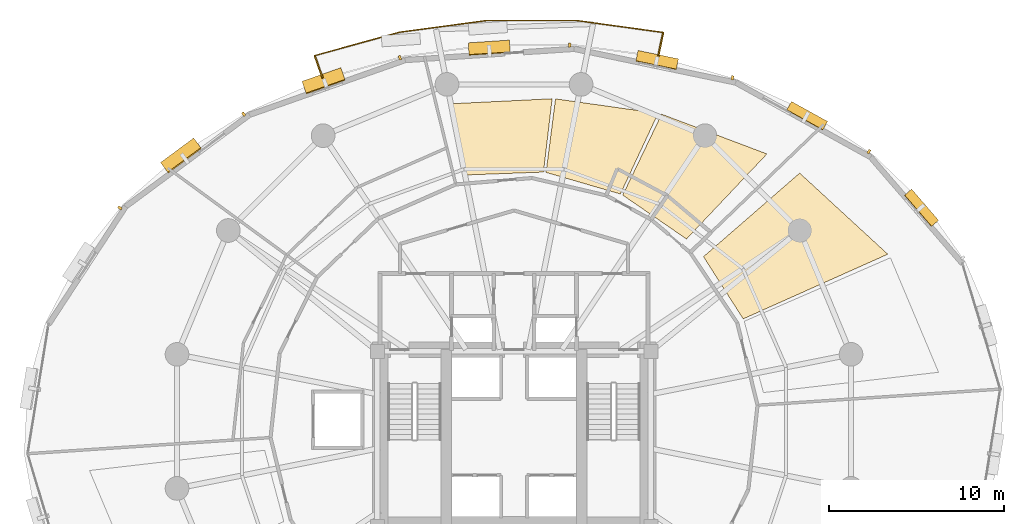
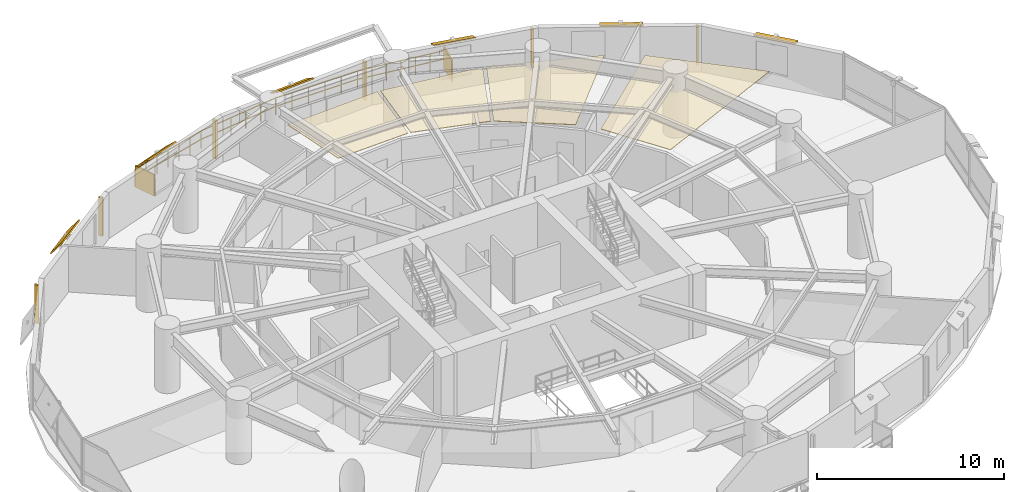
# One storey, part 16 of 16: 14 shading devices, 4 coverings, 1 railing.
"""IFC4 building model written with IfcOpenShell, lengths in metres."""

from ifc_helpers import new_model, si_unit, direction, frame, origin, origin_2d, place, context, subcontext, project, spatial, polyline, rectangle, outline, extrude, material, layer, layer_set, type_object, element, save


model = new_model("IFC4")

# Units and contexts
model_context = context("Model", 3, precision=1e-05, world=origin(), true_north=direction((0.0, 1.0)))
body_context = subcontext(model_context, "Body", "Model", "MODEL_VIEW")
ifc_project = project(units=[si_unit("LENGTHUNIT", "METRE"), si_unit("AREAUNIT", "SQUARE_METRE"), si_unit("VOLUMEUNIT", "CUBIC_METRE"), si_unit("PLANEANGLEUNIT", "RADIAN"), si_unit("MASSUNIT", "GRAM", prefix="KILO"), si_unit("THERMODYNAMICTEMPERATUREUNIT", "KELVIN"), si_unit("POWERUNIT", "WATT")], contexts=[model_context])

# Site, building, storey
site_placement = place(None, origin())
site = spatial("IfcSite", under=ifc_project, at=site_placement, CompositionType="ELEMENT")
building_placement = place(site_placement, origin())
building = spatial("IfcBuilding", under=site, at=building_placement, Name="Ocrelia Relay Tower", CompositionType="ELEMENT")
storey_placement = place(building_placement, frame((0.0, 0.0, 46.800048828125)))
storey = spatial("IfcBuildingStorey", under=building, at=storey_placement, Name="L10", CompositionType="ELEMENT", Elevation=46.800048828125)

# Coverings
ifc_material_1 = material(Name="Mineral-fiber acoustic ceiling tile", Category="gypsum")
ifc_layer_1 = layer(ifc_material_1, 0.0400390625, Name="Mineral-fiber acoustic ceiling tile")
ifc_layer_set_1 = layer_set([ifc_layer_1], Name="Mineral-fiber acoustic ceiling tile")
covering_type = type_object("IfcCoveringType", Name="COV-CEIL-ACOUSTIC", PredefinedType="CEILING", material=ifc_layer_set_1)
covering_1_placement = place(storey_placement, frame((0.0, 0.0, 2.919921875)))
element("IfcCovering", 1, at=covering_1_placement, inside=storey, type_object=covering_type, Name="L10 Network Engineering Office A Suspended Ceiling 1", PredefinedType="CEILING", context=body_context, shape_type="SweptSolid", body=[
    extrude(outline(polyline([(43.839111328125, 36.404541015625), (48.427978515625, 41.25732421875), (42.42138671875, 43.524169921875), (40.202392578125, 38.906982421875), (43.839111328125, 36.404541015625)])), origin(), (0.0, 0.0, 1.0), 0.0400390625),
])
covering_2_placement = place(storey_placement, frame((0.0, 0.0, 2.919921875)))
element("IfcCovering", 2, at=covering_2_placement, inside=storey, type_object=covering_type, Name="L10 Network Engineering Office A Suspended Ceiling 2", PredefinedType="CEILING", context=body_context, shape_type="SweptSolid", body=[
    extrude(outline(polyline([(40.06689453125, 38.97119140625), (42.2197265625, 43.57373046875), (36.36767578125, 44.39794921875), (35.827880859375, 40.202880859375), (40.06689453125, 38.97119140625)])), origin(), (0.0, 0.0, 1.0), 0.0400390625),
])
covering_3_placement = place(storey_placement, frame((0.0, 0.0, 2.919921875)))
element("IfcCovering", 3, at=covering_3_placement, inside=storey, type_object=covering_type, Name="L10 Network Engineering Office A Suspended Ceiling 3", PredefinedType="CEILING", context=body_context, shape_type="SweptSolid", body=[
    extrude(outline(polyline([(35.678955078125, 40.22119140625), (36.173095703125, 44.40625), (30.477294921875, 44.123291015625), (31.267578125, 40.056884765625), (35.678955078125, 40.22119140625)])), origin(), (0.0, 0.0, 1.0), 0.0400390625),
])
covering_4_placement = place(storey_placement, frame((0.0, 0.0, 2.919921875)))
element("IfcCovering", 4, at=covering_4_placement, inside=storey, type_object=covering_type, Name="L10 Shift Staff Lounge Suspended Ceiling 2", PredefinedType="CEILING", context=body_context, shape_type="SweptSolid", body=[
    extrude(outline(polyline([(47.07177734375, 31.847412109375), (55.321044921875, 35.537353515625), (50.294189453125, 40.164306640625), (44.807373046875, 35.394775390625), (47.07177734375, 31.847412109375)])), origin(), (0.0, 0.0, 1.0), 0.0400390625),
])

# Railing
ifc_material_2 = material(Name="Steel S355 balustrade", Category="steel")
railing_type = type_object("IfcRailingType", Name="RL-EXT-GUARD-1150", PredefinedType="GUARDRAIL", material=ifc_material_2)
railing_placement = place(storey_placement, frame((23.095458984375, 45.552734375, 0.0)))
element("IfcRailing", 5, at=railing_placement, inside=storey, type_object=railing_type, Name="L10 Loggia Balcony Guard Rail B1", PredefinedType="GUARDRAIL", context=body_context, shape_type="SweptSolid", body=[
    extrude(rectangle(XDim=0.048095703125, YDim=0.048095703125, at=origin_2d()), frame((0.0, 0.0, 1.1259765625), z_axis=(-0.33326000737, 0.942834963017, 0.0), x_axis=(-0.942834963017, -0.33326000737, 0.0)), (0.0, 0.0, 1.0), 1.393310546875),
    extrude(rectangle(XDim=0.048095703125, YDim=0.048095703125, at=origin_2d()), frame((0.0, 0.0, 0.574951171875), z_axis=(-0.33326000737, 0.942834963017, 0.0), x_axis=(-0.942834963017, -0.33326000737, 0.0)), (0.0, 0.0, 1.0), 1.393310546875),
    extrude(rectangle(XDim=0.048095703125, YDim=0.048095703125, at=origin_2d()), frame((-0.46435546875, 1.313720703125, 1.1259765625), z_axis=(0.963981417475, 0.265969597441, 0.0), x_axis=(-0.265969597441, 0.963981417475, 0.0)), (0.0, 0.0, 1.0), 2.505126953125),
    extrude(rectangle(XDim=0.048095703125, YDim=0.048095703125, at=origin_2d()), frame((-0.46435546875, 1.313720703125, 0.574951171875), z_axis=(0.963981417475, 0.265969597441, 0.0), x_axis=(-0.265969597441, 0.963981417475, 0.0)), (0.0, 0.0, 1.0), 2.505126953125),
    extrude(rectangle(XDim=0.048095703125, YDim=0.048095703125, at=origin_2d()), frame((1.950439453125, 1.97998046875, 1.1259765625), z_axis=(0.963956426006, 0.266060160044, 0.0), x_axis=(-0.266060160044, 0.963956426006, 0.0)), (0.0, 0.0, 1.0), 2.505126953125),
    extrude(rectangle(XDim=0.048095703125, YDim=0.048095703125, at=origin_2d()), frame((1.950439453125, 1.97998046875, 0.574951171875), z_axis=(0.963956426006, 0.266060160044, 0.0), x_axis=(-0.266060160044, 0.963956426006, 0.0)), (0.0, 0.0, 1.0), 2.505126953125),
    extrude(rectangle(XDim=0.048095703125, YDim=0.048095703125, at=origin_2d()), frame((4.365234375, 2.646484375, 1.1259765625), z_axis=(0.991117684156, 0.132987729335, 0.0), x_axis=(-0.132987729335, 0.991117684156, 0.0)), (0.0, 0.0, 1.0), 5.06494140625),
    extrude(rectangle(XDim=0.048095703125, YDim=0.048095703125, at=origin_2d()), frame((4.365234375, 2.646484375, 0.574951171875), z_axis=(0.991117684156, 0.132987729335, 0.0), x_axis=(-0.132987729335, 0.991117684156, 0.0)), (0.0, 0.0, 1.0), 5.06494140625),
    extrude(rectangle(XDim=0.048095703125, YDim=0.048095703125, at=origin_2d()), frame((9.38525390625, 3.320068359375, 1.1259765625), z_axis=(0.999999702629, -0.000771195606, 0.0), x_axis=(0.000771195606, 0.999999702629, 0.0)), (0.0, 0.0, 1.0), 5.065185546875),
    extrude(rectangle(XDim=0.048095703125, YDim=0.048095703125, at=origin_2d()), frame((9.38525390625, 3.320068359375, 0.574951171875), z_axis=(0.999999702629, -0.000771195606, 0.0), x_axis=(0.000771195606, 0.999999702629, 0.0)), (0.0, 0.0, 1.0), 5.065185546875),
    extrude(rectangle(XDim=0.048095703125, YDim=0.048095703125, at=origin_2d()), frame((14.450439453125, 3.316162109375, 1.1259765625), z_axis=(0.990687879791, -0.136152579249, 0.0), x_axis=(0.136152579249, 0.990687879791, 0.0)), (0.0, 0.0, 1.0), 2.505126953125),
    extrude(rectangle(XDim=0.048095703125, YDim=0.048095703125, at=origin_2d()), frame((14.450439453125, 3.316162109375, 0.574951171875), z_axis=(0.990687879791, -0.136152579249, 0.0), x_axis=(0.136152579249, 0.990687879791, 0.0)), (0.0, 0.0, 1.0), 2.505126953125),
    extrude(rectangle(XDim=0.048095703125, YDim=0.048095703125, at=origin_2d()), frame((16.93212890625, 2.97509765625, 1.1259765625), z_axis=(0.990687879791, -0.136152579249, 0.0), x_axis=(0.136152579249, 0.990687879791, 0.0)), (0.0, 0.0, 1.0), 2.505126953125),
    extrude(rectangle(XDim=0.048095703125, YDim=0.048095703125, at=origin_2d()), frame((16.93212890625, 2.97509765625, 0.574951171875), z_axis=(0.990687879791, -0.136152579249, 0.0), x_axis=(0.136152579249, 0.990687879791, 0.0)), (0.0, 0.0, 1.0), 2.505126953125),
    extrude(rectangle(XDim=0.048095703125, YDim=0.048095703125, at=origin_2d()), frame((19.413818359375, 2.634033203125, 1.1259765625), z_axis=(-0.205507166394, -0.978655610805, 0.0), x_axis=(0.978655610805, -0.205507166394, 0.0)), (0.0, 0.0, 1.0), 1.3935546875),
    extrude(rectangle(XDim=0.048095703125, YDim=0.048095703125, at=origin_2d()), frame((19.413818359375, 2.634033203125, 0.574951171875), z_axis=(-0.205507166394, -0.978655610805, 0.0), x_axis=(0.978655610805, -0.205507166394, 0.0)), (0.0, 0.0, 1.0), 1.3935546875),
    extrude(rectangle(XDim=0.0419921875, YDim=0.0419921875, at=origin_2d()), origin(), (0.0, 0.0, 1.0), 1.101806640625),
    extrude(rectangle(XDim=0.0419921875, YDim=0.0419921875, at=origin_2d()), frame((-0.232177734375, 0.65673828125, 0.0)), (0.0, 0.0, 1.0), 1.101806640625),
    extrude(rectangle(XDim=0.0419921875, YDim=0.0419921875, at=origin_2d()), frame((-0.46435546875, 1.313720703125, 0.0)), (0.0, 0.0, 1.0), 1.101806640625),
    extrude(rectangle(XDim=0.0419921875, YDim=0.0419921875, at=origin_2d()), frame((0.340576171875, 1.535888671875, 0.0)), (0.0, 0.0, 1.0), 1.101806640625),
    extrude(rectangle(XDim=0.0419921875, YDim=0.0419921875, at=origin_2d()), frame((1.1455078125, 1.7578125, 0.0)), (0.0, 0.0, 1.0), 1.101806640625),
    extrude(rectangle(XDim=0.0419921875, YDim=0.0419921875, at=origin_2d()), frame((1.950439453125, 1.97998046875, 0.0)), (0.0, 0.0, 1.0), 1.101806640625),
    extrude(rectangle(XDim=0.0419921875, YDim=0.0419921875, at=origin_2d()), frame((2.75537109375, 2.2021484375, 0.0)), (0.0, 0.0, 1.0), 1.101806640625),
    extrude(rectangle(XDim=0.0419921875, YDim=0.0419921875, at=origin_2d()), frame((3.560302734375, 2.42431640625, 0.0)), (0.0, 0.0, 1.0), 1.101806640625),
    extrude(rectangle(XDim=0.0419921875, YDim=0.0419921875, at=origin_2d()), frame((4.365234375, 2.646484375, 0.0)), (0.0, 0.0, 1.0), 1.101806640625),
    extrude(rectangle(XDim=0.0419921875, YDim=0.0419921875, at=origin_2d()), frame((5.369140625, 2.78125, 0.0)), (0.0, 0.0, 1.0), 1.101806640625),
    extrude(rectangle(XDim=0.0419921875, YDim=0.0419921875, at=origin_2d()), frame((6.373291015625, 2.916015625, 0.0)), (0.0, 0.0, 1.0), 1.101806640625),
    extrude(rectangle(XDim=0.0419921875, YDim=0.0419921875, at=origin_2d()), frame((7.377197265625, 3.050537109375, 0.0)), (0.0, 0.0, 1.0), 1.101806640625),
    extrude(rectangle(XDim=0.0419921875, YDim=0.0419921875, at=origin_2d()), frame((8.38134765625, 3.185302734375, 0.0)), (0.0, 0.0, 1.0), 1.101806640625),
    extrude(rectangle(XDim=0.0419921875, YDim=0.0419921875, at=origin_2d()), frame((9.38525390625, 3.320068359375, 0.0)), (0.0, 0.0, 1.0), 1.101806640625),
    extrude(rectangle(XDim=0.0419921875, YDim=0.0419921875, at=origin_2d()), frame((10.398193359375, 3.3193359375, 0.0)), (0.0, 0.0, 1.0), 1.101806640625),
    extrude(rectangle(XDim=0.0419921875, YDim=0.0419921875, at=origin_2d()), frame((11.411376953125, 3.318603515625, 0.0)), (0.0, 0.0, 1.0), 1.101806640625),
    extrude(rectangle(XDim=0.0419921875, YDim=0.0419921875, at=origin_2d()), frame((12.42431640625, 3.317626953125, 0.0)), (0.0, 0.0, 1.0), 1.101806640625),
    extrude(rectangle(XDim=0.0419921875, YDim=0.0419921875, at=origin_2d()), frame((13.4375, 3.31689453125, 0.0)), (0.0, 0.0, 1.0), 1.101806640625),
    extrude(rectangle(XDim=0.0419921875, YDim=0.0419921875, at=origin_2d()), frame((14.450439453125, 3.316162109375, 0.0)), (0.0, 0.0, 1.0), 1.101806640625),
    extrude(rectangle(XDim=0.0419921875, YDim=0.0419921875, at=origin_2d()), frame((15.277587890625, 3.202392578125, 0.0)), (0.0, 0.0, 1.0), 1.101806640625),
    extrude(rectangle(XDim=0.0419921875, YDim=0.0419921875, at=origin_2d()), frame((16.10498046875, 3.0888671875, 0.0)), (0.0, 0.0, 1.0), 1.101806640625),
    extrude(rectangle(XDim=0.0419921875, YDim=0.0419921875, at=origin_2d()), frame((16.93212890625, 2.97509765625, 0.0)), (0.0, 0.0, 1.0), 1.101806640625),
    extrude(rectangle(XDim=0.0419921875, YDim=0.0419921875, at=origin_2d()), frame((17.75927734375, 2.861328125, 0.0)), (0.0, 0.0, 1.0), 1.101806640625),
    extrude(rectangle(XDim=0.0419921875, YDim=0.0419921875, at=origin_2d()), frame((18.586669921875, 2.747802734375, 0.0)), (0.0, 0.0, 1.0), 1.101806640625),
    extrude(rectangle(XDim=0.0419921875, YDim=0.0419921875, at=origin_2d()), frame((19.413818359375, 2.634033203125, 0.0)), (0.0, 0.0, 1.0), 1.101806640625),
    extrude(rectangle(XDim=0.0419921875, YDim=0.0419921875, at=origin_2d()), frame((19.2705078125, 1.9521484375, 0.0)), (0.0, 0.0, 1.0), 1.101806640625),
    extrude(rectangle(XDim=0.0419921875, YDim=0.0419921875, at=origin_2d()), frame((19.12744140625, 1.270263671875, 0.0)), (0.0, 0.0, 1.0), 1.101806640625),
])

# Shading devices
ifc_material_3 = material(Name="Perforated oxide terracotta solar screen", Category="masonry")
ifc_layer_2 = layer(ifc_material_3, 0.090087890625, Name="Perforated oxide terracotta solar screen")
ifc_layer_set_2 = layer_set([ifc_layer_2], Name="Perforated oxide terracotta solar screen")
shading_device_type_1 = type_object("IfcShadingDeviceType", Name="SH-BALC-SCREEN", PredefinedType="USERDEFINED", material=ifc_layer_set_2)
for number, where, z_axis, x_axis, name in (
    (6, (42.365966796875, 47.5048828125, 0.0), (0.0, 0.0, 1.0), (0.205533042899, 0.97865017666, 0.0), "L10 Balcony Perforated Terracotta Screen B1-1"),
    (7, (22.86328125, 46.209716796875, 0.0), (0.0, 0.0, 1.0), (-0.333206739636, 0.942853789652, 0.0), "L10 Balcony Perforated Terracotta Screen B1-2"),
):
    element("IfcShadingDevice", number, at=place(storey_placement, frame(where, z_axis=z_axis, x_axis=x_axis)), inside=storey, type_object=shading_device_type_1, Name=name, ObjectType="SCREEN", PredefinedType="USERDEFINED", context=body_context, shape_type="SweptSolid", body=[
        extrude(rectangle(XDim=1.340087890625, YDim=0.090087890625, at=origin_2d()), origin(), (0.0, 0.0, 1.0), 1.39990234375),
    ])
ifc_material_4 = material(Name="Extruded oxide terracotta vertical baguette", Category="masonry")
shading_device_type_2 = type_object("IfcShadingDeviceType", Name="SH-TERR-BAGUETTE", PredefinedType="USERDEFINED", material=ifc_material_4)
for number, where, z_axis, x_axis, name in (
    (8, (54.2431640625, 41.389892578125, 0.25), (0.0, 0.0, 1.0), (-0.875147378695, 0.483856451402, 0.0), "L10 Oxide Terracotta Vertical Baguette 03"),
    (9, (46.458984375, 45.601318359375, 0.25), (0.0, 0.0, 1.0), (-0.978931545783, 0.20418870848, 0.0), "L10 Oxide Terracotta Vertical Baguette 04"),
    (10, (37.171875, 47.4638671875, 0.25), (0.0, 0.0, 1.0), (-0.997801899814, -0.066267403205, 0.0), "L10 Oxide Terracotta Vertical Baguette 05"),
    (11, (27.490234375, 46.747802734375, 0.25), (0.0, 0.0, 1.0), (-0.943325809614, -0.331868071553, 0.0), "L10 Oxide Terracotta Vertical Baguette 06"),
    (12, (18.578125, 43.526611328125, 0.25), (0.0, 0.0, 1.0), (-0.80346672279, -0.595349666472, 0.0), "L10 Oxide Terracotta Vertical Baguette 07"),
    (13, (11.51953125, 38.175048828125, 0.25), (0.0, 0.0, 1.0), (-0.547550950687, -0.836772344429, 0.0), "L10 Oxide Terracotta Vertical Baguette 08"),
):
    element("IfcShadingDevice", number, at=place(storey_placement, frame(where, z_axis=z_axis, x_axis=x_axis)), inside=storey, type_object=shading_device_type_2, Name=name, ObjectType="BAGUETTE", PredefinedType="USERDEFINED", context=body_context, shape_type="SweptSolid", body=[
        extrude(rectangle(XDim=0.139892578125, YDim=0.239990234375, at=origin_2d()), origin(), (0.0, 0.0, 1.0), 2.5),
    ])
ifc_material_5 = material(Name="Extruded oxide terracotta fin", Category="masonry")
ifc_layer_3 = layer(ifc_material_5, 0.080078125, Name="Extruded oxide terracotta fin")
ifc_layer_set_3 = layer_set([ifc_layer_3], Name="Extruded oxide terracotta fin")
shading_device_type_3 = type_object("IfcShadingDeviceType", Name="SH-VISOR-FIN-MED", PredefinedType="USERDEFINED", material=ifc_layer_set_3)
shading_device_1_placement = place(storey_placement, frame((32.585693359375, 47.29296875, 2.806396484375), z_axis=(-0.036401647867, 0.548107087967, 0.835615665335), x_axis=(-0.997801899814, -0.066267403205, 0.0)))
element("IfcShadingDevice", 14, at=shading_device_1_placement, inside=storey, type_object=shading_device_type_3, Name="L10 Canted Terracotta Sun-Visor Fin 05", ObjectType="FIN", PredefinedType="USERDEFINED", context=body_context, shape_type="SweptSolid", body=[
    extrude(rectangle(XDim=2.35009765625, YDim=0.804931640625, at=origin_2d()), origin(), (0.0, 0.0, 1.0), 0.080078125),
])
shading_device_2_placement = place(storey_placement, frame((23.14794921875, 45.400390625, 2.81103515625), z_axis=(-0.229532941478, 0.652441034292, 0.722243259262), x_axis=(-0.943325809614, -0.331868071553, 0.0)))
element("IfcShadingDevice", 15, at=shading_device_2_placement, inside=storey, type_object=shading_device_type_3, Name="L10 Canted Terracotta Sun-Visor Fin 06", ObjectType="FIN", PredefinedType="USERDEFINED", context=body_context, shape_type="SweptSolid", body=[
    extrude(rectangle(XDim=2.35009765625, YDim=0.97900390625, at=origin_2d()), origin(), (0.0, 0.0, 1.0), 0.080078125),
])
shading_device_3_placement = place(storey_placement, frame((15.02294921875, 41.138427734375, 2.815673828125), z_axis=(-0.473395905261, 0.638881447329, 0.60640482612), x_axis=(-0.80346672279, -0.595349666472, 0.0)))
element("IfcShadingDevice", 16, at=shading_device_3_placement, inside=storey, type_object=shading_device_type_3, Name="L10 Canted Terracotta Sun-Visor Fin 07", ObjectType="FIN", PredefinedType="USERDEFINED", context=body_context, shape_type="SweptSolid", body=[
    extrude(rectangle(XDim=2.35009765625, YDim=1.1279296875, at=origin_2d()), origin(), (0.0, 0.0, 1.0), 0.080078125),
])
ifc_layer_4 = layer(ifc_material_5, 0.080078125, Name="Extruded oxide terracotta fin")
ifc_layer_set_4 = layer_set([ifc_layer_4], Name="Extruded oxide terracotta fin")
shading_device_type_4 = type_object("IfcShadingDeviceType", Name="SH-VISOR-FIN-SHAL", PredefinedType="USERDEFINED", material=ifc_layer_set_4)
shading_device_4_placement = place(storey_placement, frame((57.231201171875, 38.174072265625, 2.8017578125), z_axis=(0.234302579415, 0.202241908295, 0.950894585014), x_axis=(-0.653415692104, 0.75699929545, 0.0)))
element("IfcShadingDevice", 17, at=shading_device_4_placement, inside=storey, type_object=shading_device_type_4, Name="L10 Canted Terracotta Sun-Visor Fin 02", ObjectType="FIN", PredefinedType="USERDEFINED", context=body_context, shape_type="SweptSolid", body=[
    extrude(rectangle(XDim=2.35009765625, YDim=0.550048828125, at=origin_2d()), origin(), (0.0, 0.0, 1.0), 0.080078125),
])
shading_device_5_placement = place(storey_placement, frame((50.710205078125, 43.420166015625, 2.80224609375), z_axis=(0.162469507662, 0.293857327594, 0.941940300709), x_axis=(-0.875147378695, 0.483856451402, 0.0)))
element("IfcShadingDevice", 18, at=shading_device_5_placement, inside=storey, type_object=shading_device_type_4, Name="L10 Canted Terracotta Sun-Visor Fin 03", ObjectType="FIN", PredefinedType="USERDEFINED", context=body_context, shape_type="SweptSolid", body=[
    extrude(rectangle(XDim=2.35009765625, YDim=0.576904296875, at=origin_2d()), origin(), (0.0, 0.0, 1.0), 0.080078125),
])
shading_device_6_placement = place(storey_placement, frame((42.16015625, 46.592529296875, 2.803466796875), z_axis=(0.084870204471, 0.406888907189, 0.909526506266), x_axis=(-0.978931545783, 0.20418870848, 0.0)))
element("IfcShadingDevice", 19, at=shading_device_6_placement, inside=storey, type_object=shading_device_type_4, Name="L10 Canted Terracotta Sun-Visor Fin 04", ObjectType="FIN", PredefinedType="USERDEFINED", context=body_context, shape_type="SweptSolid", body=[
    extrude(rectangle(XDim=2.35009765625, YDim=0.658935546875, at=origin_2d()), origin(), (0.0, 0.0, 1.0), 0.080078125),
])

save(model, "model.ifc")
